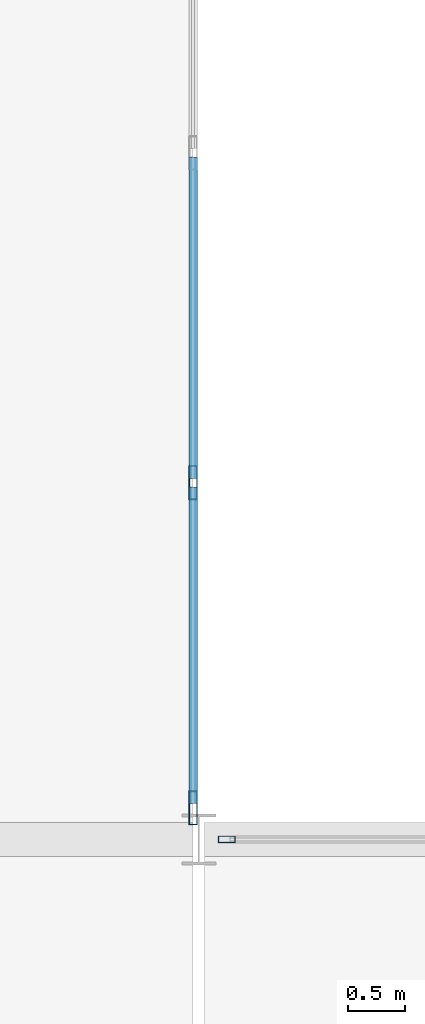
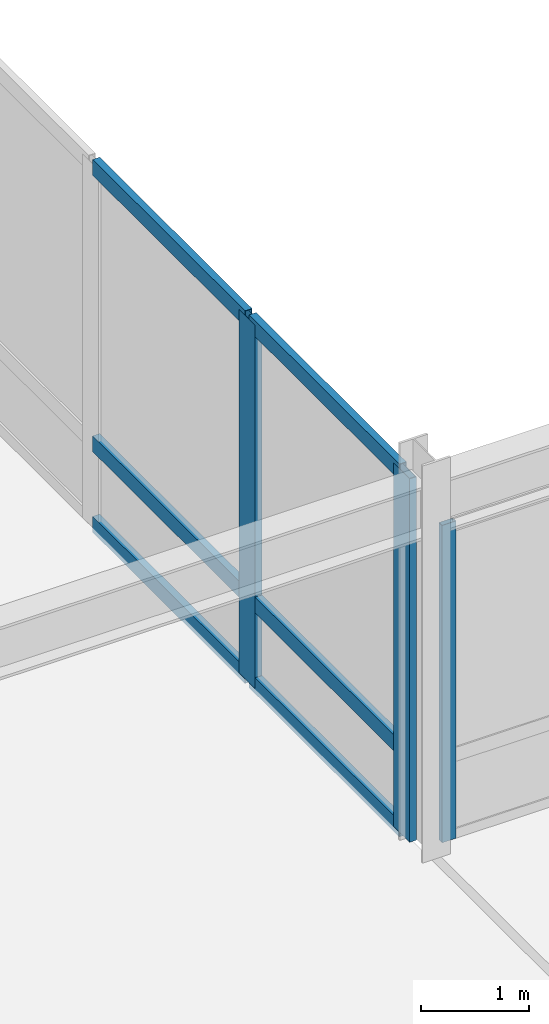
# One storey, part 31 of 115: 9 members, 2 elements without a shape of their own.
"""IFC4 building model written with IfcOpenShell, lengths in metres."""

from ifc_helpers import new_model, si_unit, direction, frame, origin, origin_2d, place, context, subcontext, project, spatial, hollow_rectangle, extrude, material, layer, layer_set, material_profile, profile_set, type_object, element, aggregate, save


model = new_model("IFC4")

# Units and contexts
model_context = context("Model", 3, precision=1e-05, world=origin(), true_north=direction((0.0, 1.0)))
body_context = subcontext(model_context, "Body", "Model", "MODEL_VIEW")
ifc_project = project(units=[si_unit("LENGTHUNIT", "METRE"), si_unit("AREAUNIT", "SQUARE_METRE"), si_unit("VOLUMEUNIT", "CUBIC_METRE"), si_unit("PLANEANGLEUNIT", "RADIAN"), si_unit("MASSUNIT", "GRAM", prefix="KILO")], contexts=[model_context])

# Site, building, storey
site_placement = place(None, origin())
site = spatial("IfcSite", under=ifc_project, at=site_placement, CompositionType="ELEMENT")
building_placement = place(site_placement, origin())
building = spatial("IfcBuilding", under=site, at=building_placement, Name="Montelvaro Courts of Justice", CompositionType="ELEMENT")
storey_placement = place(building_placement, frame((0.0, 0.0, 9.89990234375)))
storey = spatial("IfcBuildingStorey", under=building, at=storey_placement, Name="L02", CompositionType="ELEMENT", Elevation=9.89990234375)

# Curtain wall, member
ifc_material = material(Name="Anodised aluminium EN AW-6063", Category="aluminium")
ifc_layer_1 = layer(ifc_material, 0.159912109375)
ifc_layer_set_1 = layer_set([ifc_layer_1], Name="Anodised aluminium EN AW-6063")
curtain_wall_type_1 = type_object("IfcCurtainWallType", Name="CurtainWall_17_861x418", PredefinedType="USERDEFINED", material=ifc_layer_set_1)
curtain_wall_1_placement = place(storey_placement, origin())
curtain_wall_1 = element("IfcCurtainWall", 1, at=curtain_wall_1_placement, inside=storey, type_object=curtain_wall_type_1, Name="Curtain Wall CW-17 (L02)", ObjectType="CURTAIN WALL", PredefinedType="USERDEFINED")
ifc_material_profile_1 = material_profile(ifc_material, hollow_rectangle(XDim=0.06005859375, YDim=0.14990234375, WallThickness=0.00390625, at=origin_2d()), Name="ALU-M 60x150")
ifc_profile_set_1 = profile_set([ifc_material_profile_1], Name="Anodised aluminium EN AW-6063")
member_type_1 = type_object("IfcMemberType", Name="CurtainWall_Mullion_60x150", PredefinedType="MULLION", material=ifc_profile_set_1)
member_1_placement = place(storey_placement, frame((81.2451171875, 42.0, 0.0), z_axis=(0.0, 0.0, 1.0), x_axis=(0.0, -1.0, 0.0)))
member_1 = element("IfcMember", 2, at=member_1_placement, type_object=member_type_1, Name="CW-17 mullion 4", PredefinedType="MULLION", context=body_context, shape_type="SweptSolid", body=[
    extrude(hollow_rectangle(XDim=0.06005859375, YDim=0.14990234375, WallThickness=0.00390625, at=origin_2d()), origin(), (0.0, 0.0, 1.0), 3.59521484375),
])
aggregate(curtain_wall_1, [member_1])

# Curtain wall, members
ifc_layer_2 = layer(ifc_material, 0.159912109375)
ifc_layer_set_2 = layer_set([ifc_layer_2], Name="Anodised aluminium EN AW-6063")
curtain_wall_type_2 = type_object("IfcCurtainWallType", Name="CurtainWall_19_1159x418", PredefinedType="USERDEFINED", material=ifc_layer_set_2)
curtain_wall_2_placement = place(storey_placement, origin())
curtain_wall_2 = element("IfcCurtainWall", 3, at=curtain_wall_2_placement, inside=storey, type_object=curtain_wall_type_2, Name="Curtain Wall CW-19 (L02)", ObjectType="CURTAIN WALL", PredefinedType="USERDEFINED")
ifc_material_profile_2 = material_profile(ifc_material, hollow_rectangle(XDim=0.074951171875, YDim=0.300048828125, WallThickness=0.006103515625, at=origin_2d()), Name="ALU-M 75x300")
ifc_profile_set_2 = profile_set([ifc_material_profile_2], Name="Anodised aluminium EN AW-6063")
member_type_2 = type_object("IfcMemberType", Name="CurtainWall_Mullion_75x300", PredefinedType="MULLION", material=ifc_profile_set_2)
member_2_placement = place(storey_placement, frame((80.949951171875, 42.277587890625, 0.0), z_axis=(0.0, 0.0, 1.0), x_axis=(-1.0, 0.0, 0.0)))
member_2 = element("IfcMember", 4, at=member_2_placement, type_object=member_type_2, Name="CW-19 mullion 1", PredefinedType="MULLION", context=body_context, shape_type="SweptSolid", body=[
    extrude(hollow_rectangle(XDim=0.074951171875, YDim=0.300048828125, WallThickness=0.006103515625, at=origin_2d()), origin(), (0.0, 0.0, 1.0), 4.1201171875),
])
member_3_placement = place(storey_placement, frame((80.949951171875, 45.143798828125, 0.0), z_axis=(0.0, 0.0, 1.0), x_axis=(-1.0, 0.0, 0.0)))
member_3 = element("IfcMember", 5, at=member_3_placement, type_object=member_type_2, Name="CW-19 mullion 2", PredefinedType="MULLION", context=body_context, shape_type="SweptSolid", body=[
    extrude(hollow_rectangle(XDim=0.074951171875, YDim=0.300048828125, WallThickness=0.006103515625, at=origin_2d()), origin(), (0.0, 0.0, 1.0), 4.1201171875),
])
ifc_material_profile_3 = material_profile(ifc_material, hollow_rectangle(XDim=0.074951171875, YDim=0.179931640625, WallThickness=0.0048828125, at=origin_2d()), Name="ALU-T 75x180")
ifc_profile_set_3 = profile_set([ifc_material_profile_3], Name="Anodised aluminium EN AW-6063")
member_type_3 = type_object("IfcMemberType", Name="CurtainWall_Transom_75x180", PredefinedType="USERDEFINED", material=ifc_profile_set_3)
member_4_placement = place(storey_placement, frame((80.949951171875, 42.31494140625, 0.03759765625), z_axis=(0.0, 1.0, 0.0), x_axis=(-1.0, 0.0, 0.0)))
member_4 = element("IfcMember", 6, at=member_4_placement, type_object=member_type_3, Name="CW-19 transom 1.1", ObjectType="TRANSOM", PredefinedType="USERDEFINED", context=body_context, shape_type="SweptSolid", body=[
    extrude(hollow_rectangle(XDim=0.074951171875, YDim=0.179931640625, WallThickness=0.0048828125, at=origin_2d()), origin(), (0.0, 0.0, 1.0), 2.791259765625),
])
member_5_placement = place(storey_placement, frame((80.949951171875, 42.31494140625, 0.9501953125), z_axis=(0.0, 1.0, 0.0), x_axis=(-1.0, 0.0, 0.0)))
member_5 = element("IfcMember", 7, at=member_5_placement, type_object=member_type_3, Name="CW-19 transom 1.2", ObjectType="TRANSOM", PredefinedType="USERDEFINED", context=body_context, shape_type="SweptSolid", body=[
    extrude(hollow_rectangle(XDim=0.074951171875, YDim=0.179931640625, WallThickness=0.0048828125, at=origin_2d()), origin(), (0.0, 0.0, 1.0), 2.791259765625),
])
member_6_placement = place(storey_placement, frame((80.949951171875, 42.31494140625, 4.08251953125), z_axis=(0.0, 1.0, 0.0), x_axis=(-1.0, 0.0, 0.0)))
member_6 = element("IfcMember", 8, at=member_6_placement, type_object=member_type_3, Name="CW-19 transom 1.3", ObjectType="TRANSOM", PredefinedType="USERDEFINED", context=body_context, shape_type="SweptSolid", body=[
    extrude(hollow_rectangle(XDim=0.074951171875, YDim=0.179931640625, WallThickness=0.0048828125, at=origin_2d()), origin(), (0.0, 0.0, 1.0), 2.791259765625),
])
member_7_placement = place(storey_placement, frame((80.949951171875, 45.18115234375, 0.03759765625), z_axis=(0.0, 1.0, 0.0), x_axis=(-1.0, 0.0, 0.0)))
member_7 = element("IfcMember", 9, at=member_7_placement, type_object=member_type_3, Name="CW-19 transom 2.1", ObjectType="TRANSOM", PredefinedType="USERDEFINED", context=body_context, shape_type="SweptSolid", body=[
    extrude(hollow_rectangle(XDim=0.074951171875, YDim=0.179931640625, WallThickness=0.0048828125, at=origin_2d()), origin(), (0.0, 0.0, 1.0), 2.828857421875),
])
member_8_placement = place(storey_placement, frame((80.949951171875, 45.18115234375, 0.9501953125), z_axis=(0.0, 1.0, 0.0), x_axis=(-1.0, 0.0, 0.0)))
member_8 = element("IfcMember", 10, at=member_8_placement, type_object=member_type_3, Name="CW-19 transom 2.2", ObjectType="TRANSOM", PredefinedType="USERDEFINED", context=body_context, shape_type="SweptSolid", body=[
    extrude(hollow_rectangle(XDim=0.074951171875, YDim=0.179931640625, WallThickness=0.0048828125, at=origin_2d()), origin(), (0.0, 0.0, 1.0), 2.828857421875),
])
member_9_placement = place(storey_placement, frame((80.949951171875, 45.18115234375, 4.08251953125), z_axis=(0.0, 1.0, 0.0), x_axis=(-1.0, 0.0, 0.0)))
member_9 = element("IfcMember", 11, at=member_9_placement, type_object=member_type_3, Name="CW-19 transom 2.3", ObjectType="TRANSOM", PredefinedType="USERDEFINED", context=body_context, shape_type="SweptSolid", body=[
    extrude(hollow_rectangle(XDim=0.074951171875, YDim=0.179931640625, WallThickness=0.0048828125, at=origin_2d()), origin(), (0.0, 0.0, 1.0), 2.828857421875),
])
aggregate(curtain_wall_2, [member_2, member_3, member_4, member_5, member_6, member_7, member_8, member_9])

save(model, "model.ifc")
